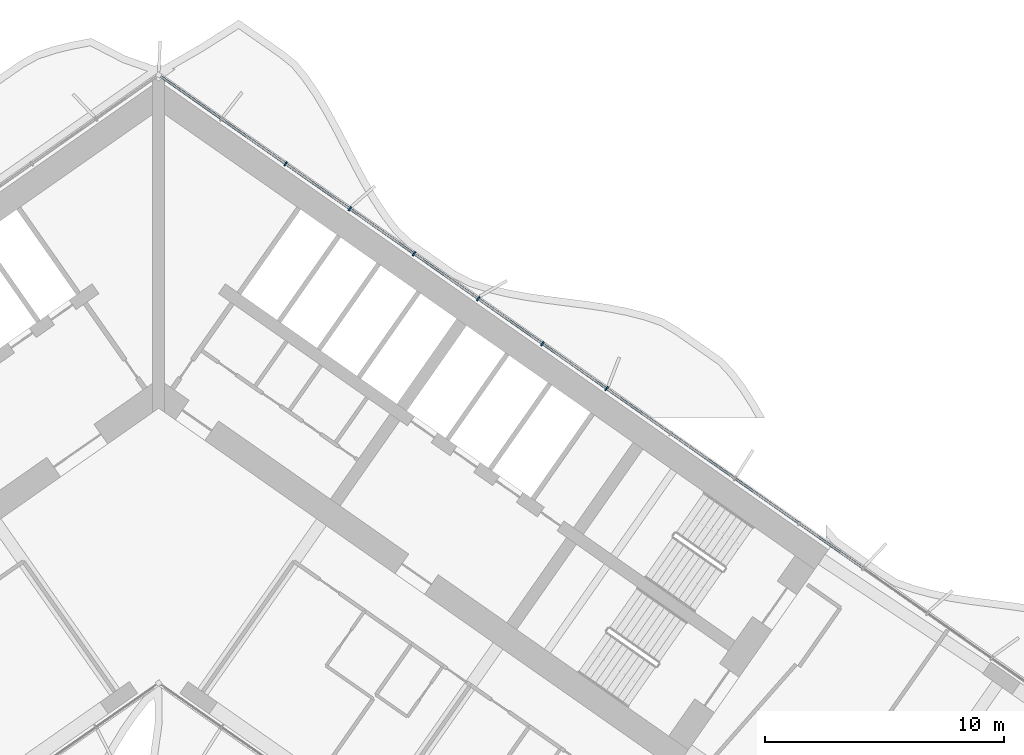
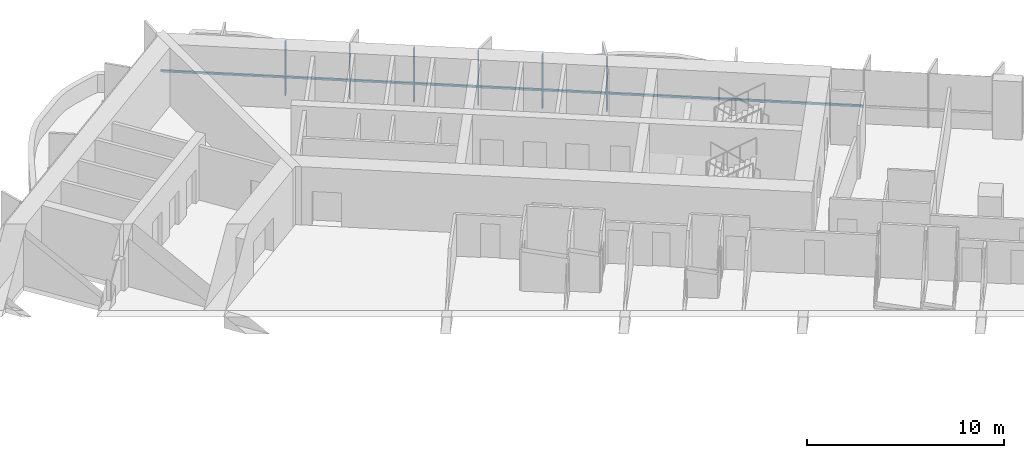
# One storey, part 8 of 24: 7 members, 1 element without a shape of its own.
"""IFC4 building model written with IfcOpenShell, lengths in metres."""

from ifc_helpers import new_model, si_unit, direction, frame, origin, origin_2d, place, context, subcontext, project, spatial, rectangle, extrude, material, material_profile, profile_set, type_object, element, aggregate, save


model = new_model("IFC4")

# Units and contexts
model_context = context("Model", 3, precision=1e-05, world=origin(), true_north=direction((0.0, 1.0)))
body_context = subcontext(model_context, "Body", "Model", "MODEL_VIEW")
ifc_project = project(units=[si_unit("LENGTHUNIT", "METRE"), si_unit("AREAUNIT", "SQUARE_METRE"), si_unit("VOLUMEUNIT", "CUBIC_METRE"), si_unit("PLANEANGLEUNIT", "RADIAN"), si_unit("MASSUNIT", "GRAM", prefix="KILO")], contexts=[model_context])

# Site, building, storey
site_placement = place(None, origin())
site = spatial("IfcSite", under=ifc_project, at=site_placement, CompositionType="ELEMENT")
building_placement = place(site_placement, origin())
building = spatial("IfcBuilding", under=site, at=building_placement, Name="Tel Ilan Convention Tower", CompositionType="ELEMENT")
storey_placement = place(building_placement, frame((0.0, 0.0, 68.89990234375)))
storey = spatial("IfcBuildingStorey", under=building, at=storey_placement, Name="L12", CompositionType="ELEMENT", Elevation=68.89990234375)

# Curtain wall, members
ifc_material_1 = material(Name="Aluminium, bronze anodised", Category="aluminium")
curtain_wall_type = type_object("IfcCurtainWallType", Name="CW2 STICK CURTAIN WALL, SPANDREL PANELS", PredefinedType="NOTDEFINED", material=ifc_material_1)
curtain_wall_placement = place(storey_placement, origin())
curtain_wall = element("IfcCurtainWall", 1, at=curtain_wall_placement, inside=storey, type_object=curtain_wall_type, Name="Curtain wall CW2-12.01", PredefinedType="NOTDEFINED")
ifc_material_2 = material(Name="Aluminium, bronze anodised", Category="aluminium")
ifc_material_profile_1 = material_profile(ifc_material_2, rectangle(XDim=0.06005859375, YDim=0.199951171875, at=origin_2d()), Name="CW MULLION 60x200")
ifc_profile_set_1 = profile_set([ifc_material_profile_1], Name="Aluminium, bronze anodised")
member_type_1 = type_object("IfcMemberType", Name="CW MULLION 60x200", PredefinedType="MULLION", material=ifc_profile_set_1)
member_1_placement = place(storey_placement, frame((18.70458984375, -0.401123046875, 0.0), z_axis=(0.0, 0.0, 1.0), x_axis=(-0.819152044289, 0.573576436351, 0.0)))
member_1 = element("IfcMember", 2, at=member_1_placement, type_object=member_type_1, Name="Mullion", PredefinedType="MULLION", context=body_context, shape_type="SweptSolid", body=[
    extrude(rectangle(XDim=0.06005859375, YDim=0.199951171875, at=origin_2d()), origin(), (0.0, 0.0, 1.0), 3.320068359375),
])
member_2_placement = place(storey_placement, frame((16.024169921875, 1.475830078125, 0.0), z_axis=(0.0, 0.0, 1.0), x_axis=(-0.819152044289, 0.573576436351, 0.0)))
member_2 = element("IfcMember", 3, at=member_2_placement, type_object=member_type_1, Name="Mullion", PredefinedType="MULLION", context=body_context, shape_type="SweptSolid", body=[
    extrude(rectangle(XDim=0.06005859375, YDim=0.199951171875, at=origin_2d()), origin(), (0.0, 0.0, 1.0), 3.320068359375),
])
member_3_placement = place(storey_placement, frame((13.343994140625, 3.3525390625, 0.0), z_axis=(0.0, 0.0, 1.0), x_axis=(-0.819152044289, 0.573576436351, 0.0)))
member_3 = element("IfcMember", 4, at=member_3_placement, type_object=member_type_1, Name="Mullion", PredefinedType="MULLION", context=body_context, shape_type="SweptSolid", body=[
    extrude(rectangle(XDim=0.06005859375, YDim=0.199951171875, at=origin_2d()), origin(), (0.0, 0.0, 1.0), 3.320068359375),
])
member_4_placement = place(storey_placement, frame((10.663818359375, 5.229248046875, 0.0), z_axis=(0.0, 0.0, 1.0), x_axis=(-0.819152044289, 0.573576436351, 0.0)))
member_4 = element("IfcMember", 5, at=member_4_placement, type_object=member_type_1, Name="Mullion", PredefinedType="MULLION", context=body_context, shape_type="SweptSolid", body=[
    extrude(rectangle(XDim=0.06005859375, YDim=0.199951171875, at=origin_2d()), origin(), (0.0, 0.0, 1.0), 3.320068359375),
])
member_5_placement = place(storey_placement, frame((7.9833984375, 7.10595703125, 0.0), z_axis=(0.0, 0.0, 1.0), x_axis=(-0.819152044289, 0.573576436351, 0.0)))
member_5 = element("IfcMember", 6, at=member_5_placement, type_object=member_type_1, Name="Mullion", PredefinedType="MULLION", context=body_context, shape_type="SweptSolid", body=[
    extrude(rectangle(XDim=0.06005859375, YDim=0.199951171875, at=origin_2d()), origin(), (0.0, 0.0, 1.0), 3.320068359375),
])
member_6_placement = place(storey_placement, frame((5.30322265625, 8.982666015625, 0.0), z_axis=(0.0, 0.0, 1.0), x_axis=(-0.819152044289, 0.573576436351, 0.0)))
member_6 = element("IfcMember", 7, at=member_6_placement, type_object=member_type_1, Name="Mullion", PredefinedType="MULLION", context=body_context, shape_type="SweptSolid", body=[
    extrude(rectangle(XDim=0.06005859375, YDim=0.199951171875, at=origin_2d()), origin(), (0.0, 0.0, 1.0), 3.320068359375),
])
ifc_material_3 = material(Name="Aluminium, bronze anodised", Category="aluminium")
ifc_material_profile_2 = material_profile(ifc_material_3, rectangle(XDim=0.10009765625, YDim=0.1201171875, at=origin_2d()), Name="CW TRANSOM 100x120")
ifc_profile_set_2 = profile_set([ifc_material_profile_2], Name="Aluminium, bronze anodised")
member_type_2 = type_object("IfcMemberType", Name="CW TRANSOM 100x120", PredefinedType="USERDEFINED", material=ifc_profile_set_2)
member_7_placement = place(storey_placement, frame((29.401123046875, -7.890869140625, 1.10009765625), z_axis=(-0.81915076999, 0.573578256234, 0.0), x_axis=(-0.573578256234, -0.81915076999, 0.0)))
member_7 = element("IfcMember", 8, at=member_7_placement, type_object=member_type_2, Name="Transom", ObjectType="TRANSOM", PredefinedType="USERDEFINED", context=body_context, shape_type="SweptSolid", body=[
    extrude(rectangle(XDim=0.10009765625, YDim=0.1201171875, at=origin_2d()), origin(), (0.0, 0.0, 1.0), 35.76220703125),
])
aggregate(curtain_wall, [member_1, member_2, member_3, member_4, member_5, member_6, member_7])

save(model, "model.ifc")
